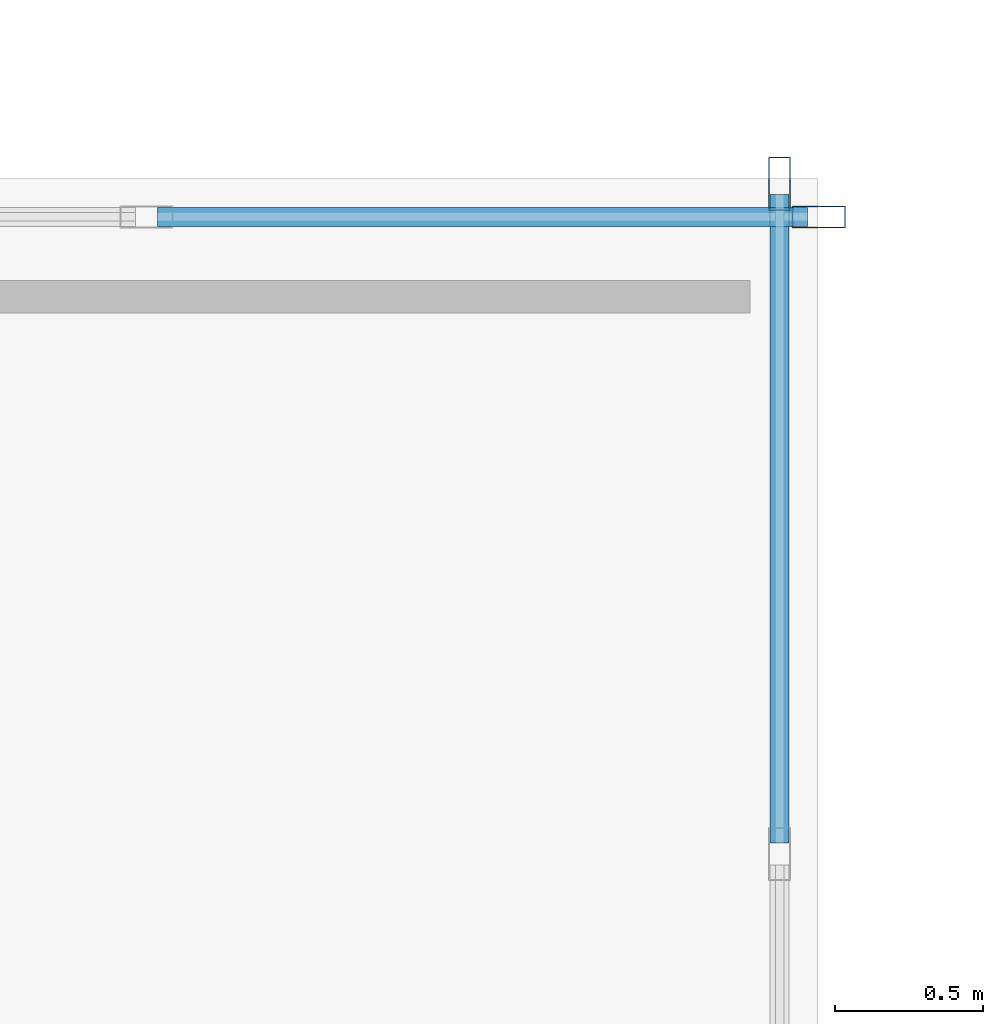
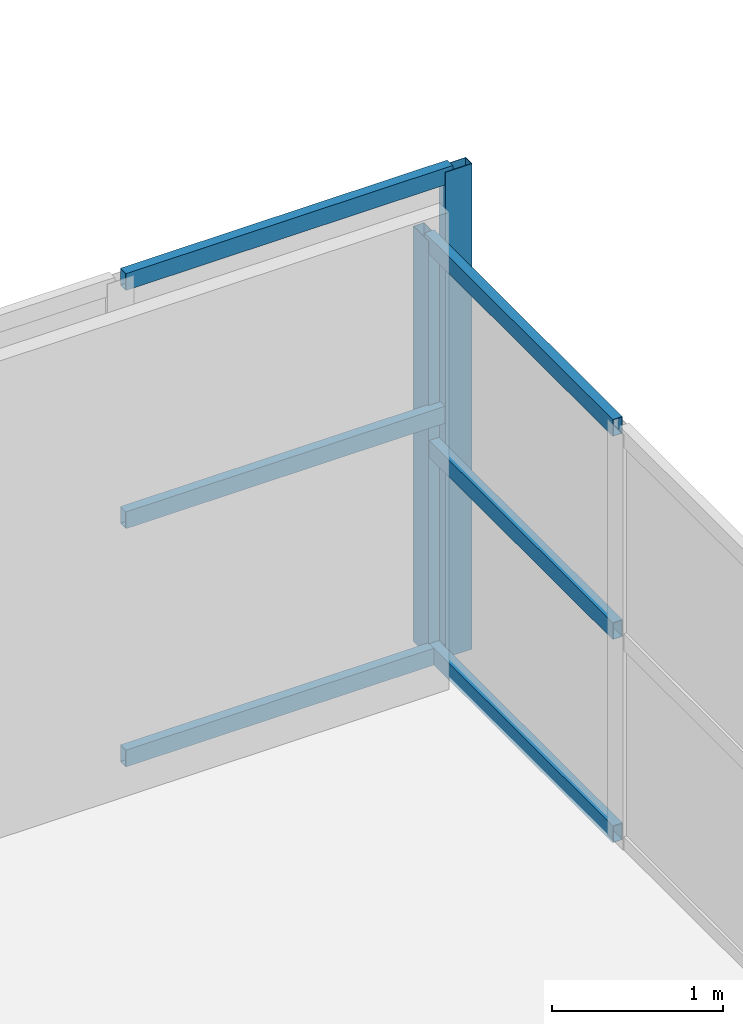
# One storey, part 90 of 153: 8 members, 2 elements without a shape of their own.
"""IFC4 building model written with IfcOpenShell, lengths in metres."""

from ifc_helpers import new_model, si_unit, direction, frame, origin, origin_2d, place, context, subcontext, project, spatial, hollow_rectangle, extrude, material, material_profile, profile_set, type_object, element, aggregate, save


model = new_model("IFC4")

# Units and contexts
model_context = context("Model", 3, precision=1e-05, world=origin(), true_north=direction((0.0, 1.0)))
body_context = subcontext(model_context, "Body", "Model", "MODEL_VIEW")
ifc_project = project(units=[si_unit("LENGTHUNIT", "METRE"), si_unit("AREAUNIT", "SQUARE_METRE"), si_unit("VOLUMEUNIT", "CUBIC_METRE"), si_unit("PLANEANGLEUNIT", "RADIAN"), si_unit("MASSUNIT", "GRAM", prefix="KILO")], contexts=[model_context])

# Site, building, storey
site_placement = place(None, origin())
site = spatial("IfcSite", under=ifc_project, at=site_placement, CompositionType="ELEMENT")
building_placement = place(site_placement, origin())
building = spatial("IfcBuilding", under=site, at=building_placement, Name="Bramvelor Terrace Health Centre", CompositionType="ELEMENT")
storey_placement = place(building_placement, frame((0.0, 0.0, 4.800048828125)))
storey = spatial("IfcBuildingStorey", under=building, at=storey_placement, Name="L02", CompositionType="ELEMENT", Elevation=4.800048828125)

# Curtain wall, member
ifc_material_1 = material(Name="Anodized aluminium and double low-E glass", Category="aluminium")
curtain_wall_type_1 = type_object("IfcCurtainWallType", Name="CW-SYS-14", PredefinedType="NOTDEFINED", material=ifc_material_1)
curtain_wall_1_placement = place(storey_placement, origin())
curtain_wall_1 = element("IfcCurtainWall", 1, at=curtain_wall_1_placement, inside=storey, type_object=curtain_wall_type_1, Name="L02 Unitized Curtain Wall 84", PredefinedType="NOTDEFINED")
ifc_material_2 = material(Name="Anodized aluminium 6063-T6", Category="aluminium")
ifc_material_profile_1 = material_profile(ifc_material_2, hollow_rectangle(XDim=0.074951171875, YDim=0.179931640625, WallThickness=0.00341796875, at=origin_2d()), Name="ALU-MUL 75x180x3.5")
ifc_profile_set_1 = profile_set([ifc_material_profile_1], Name="Anodized aluminium 6063-T6")
member_type_1 = type_object("IfcMemberType", Name="CW-MUL-65x180", PredefinedType="MULLION", material=ifc_profile_set_1)
member_1_placement = place(storey_placement, frame((43.202392578125, 107.8701171875, 0.0), z_axis=(0.0, 0.0, 1.0), x_axis=(0.0, 1.0, 0.0)))
member_1 = element("IfcMember", 2, at=member_1_placement, type_object=member_type_1, Name="CW-14 mullion 4", PredefinedType="MULLION", context=body_context, shape_type="SweptSolid", body=[
    extrude(hollow_rectangle(XDim=0.074951171875, YDim=0.179931640625, WallThickness=0.00341796875, at=origin_2d()), origin(), (0.0, 0.0, 1.0), 3.4599609375),
])

ifc_material_3 = material(Name="Anodized aluminium and double low-E glass", Category="aluminium")
curtain_wall_type_2 = type_object("IfcCurtainWallType", Name="CW-SYS-15", PredefinedType="NOTDEFINED", material=ifc_material_3)
curtain_wall_2_placement = place(storey_placement, origin())
curtain_wall_2 = element("IfcCurtainWall", 3, at=curtain_wall_2_placement, inside=storey, type_object=curtain_wall_type_2, Name="L02 Unitized Curtain Wall 85", PredefinedType="NOTDEFINED")
member_2_placement = place(storey_placement, frame((43.070068359375, 107.982421875, 0.0), z_axis=(0.0, 0.0, 1.0), x_axis=(1.0, 0.0, 0.0)))
member_2 = element("IfcMember", 4, at=member_2_placement, type_object=member_type_1, Name="CW-15 mullion 1", PredefinedType="MULLION", context=body_context, shape_type="SweptSolid", body=[
    extrude(hollow_rectangle(XDim=0.074951171875, YDim=0.179931640625, WallThickness=0.00341796875, at=origin_2d()), origin(), (0.0, 0.0, 1.0), 2.9599609375),
])

# Member
ifc_material_4 = material(Name="Anodized aluminium 6063-T6", Category="aluminium")
ifc_material_profile_2 = material_profile(ifc_material_4, hollow_rectangle(XDim=0.06494140625, YDim=0.1201171875, WallThickness=0.0029296875, at=origin_2d()), Name="ALU-TRN 65x120x3.0")
ifc_profile_set_2 = profile_set([ifc_material_profile_2], Name="Anodized aluminium 6063-T6")
member_type_2 = type_object("IfcMemberType", Name="CW-TRN-65x150", PredefinedType="USERDEFINED", material=ifc_profile_set_2)
member_3_placement = place(storey_placement, frame((40.96240234375, 107.8701171875, 0.032470703125), z_axis=(1.0, 0.0, 0.0), x_axis=(0.0, 1.0, 0.0)))
member_3 = element("IfcMember", 5, at=member_3_placement, type_object=member_type_2, Name="CW-14 transom 3.1", ObjectType="TRANSOM", PredefinedType="USERDEFINED", context=body_context, shape_type="SweptSolid", body=[
    extrude(hollow_rectangle(XDim=0.06494140625, YDim=0.1201171875, WallThickness=0.0029296875, at=origin_2d()), origin(), (0.0, 0.0, 1.0), 2.20263671875),
])

member_4_placement = place(storey_placement, frame((40.96240234375, 107.8701171875, 1.72998046875), z_axis=(1.0, 0.0, 0.0), x_axis=(0.0, 1.0, 0.0)))
member_4 = element("IfcMember", 6, at=member_4_placement, type_object=member_type_2, Name="CW-14 transom 3.2", ObjectType="TRANSOM", PredefinedType="USERDEFINED", context=body_context, shape_type="SweptSolid", body=[
    extrude(hollow_rectangle(XDim=0.06494140625, YDim=0.1201171875, WallThickness=0.0029296875, at=origin_2d()), origin(), (0.0, 0.0, 1.0), 2.20263671875),
])

member_5_placement = place(storey_placement, frame((40.96240234375, 107.8701171875, 3.427490234375), z_axis=(1.0, 0.0, 0.0), x_axis=(0.0, 1.0, 0.0)))
member_5 = element("IfcMember", 7, at=member_5_placement, type_object=member_type_2, Name="CW-14 transom 3.3", ObjectType="TRANSOM", PredefinedType="USERDEFINED", context=body_context, shape_type="SweptSolid", body=[
    extrude(hollow_rectangle(XDim=0.06494140625, YDim=0.1201171875, WallThickness=0.0029296875, at=origin_2d()), origin(), (0.0, 0.0, 1.0), 2.20263671875),
])

aggregate(curtain_wall_1, [member_1, member_3, member_4, member_5])

member_6_placement = place(storey_placement, frame((43.070068359375, 107.945068359375, 0.032470703125), z_axis=(0.0, -1.0, 0.0), x_axis=(1.0, 0.0, 0.0)))
member_6 = element("IfcMember", 8, at=member_6_placement, type_object=member_type_2, Name="CW-15 transom 1.1", ObjectType="TRANSOM", PredefinedType="USERDEFINED", context=body_context, shape_type="SweptSolid", body=[
    extrude(hollow_rectangle(XDim=0.06494140625, YDim=0.1201171875, WallThickness=0.0029296875, at=origin_2d()), origin(), (0.0, 0.0, 1.0), 2.19580078125),
])

member_7_placement = place(storey_placement, frame((43.070068359375, 107.945068359375, 1.47998046875), z_axis=(0.0, -1.0, 0.0), x_axis=(1.0, 0.0, 0.0)))
member_7 = element("IfcMember", 9, at=member_7_placement, type_object=member_type_2, Name="CW-15 transom 1.2", ObjectType="TRANSOM", PredefinedType="USERDEFINED", context=body_context, shape_type="SweptSolid", body=[
    extrude(hollow_rectangle(XDim=0.06494140625, YDim=0.1201171875, WallThickness=0.0029296875, at=origin_2d()), origin(), (0.0, 0.0, 1.0), 2.19580078125),
])

member_8_placement = place(storey_placement, frame((43.070068359375, 107.945068359375, 2.927490234375), z_axis=(0.0, -1.0, 0.0), x_axis=(1.0, 0.0, 0.0)))
member_8 = element("IfcMember", 10, at=member_8_placement, type_object=member_type_2, Name="CW-15 transom 1.3", ObjectType="TRANSOM", PredefinedType="USERDEFINED", context=body_context, shape_type="SweptSolid", body=[
    extrude(hollow_rectangle(XDim=0.06494140625, YDim=0.1201171875, WallThickness=0.0029296875, at=origin_2d()), origin(), (0.0, 0.0, 1.0), 2.19580078125),
])

aggregate(curtain_wall_2, [member_2, member_6, member_7, member_8])

save(model, "model.ifc")
